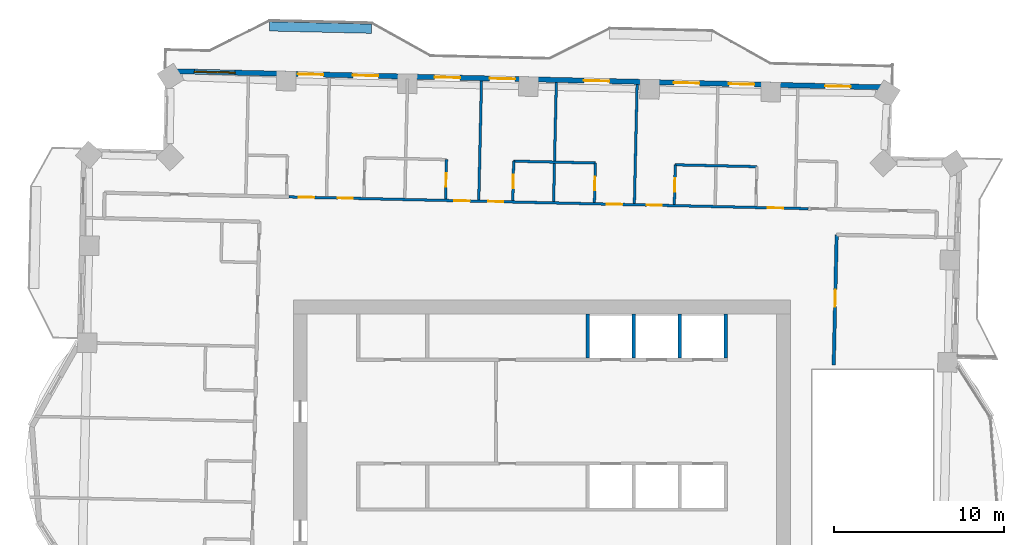
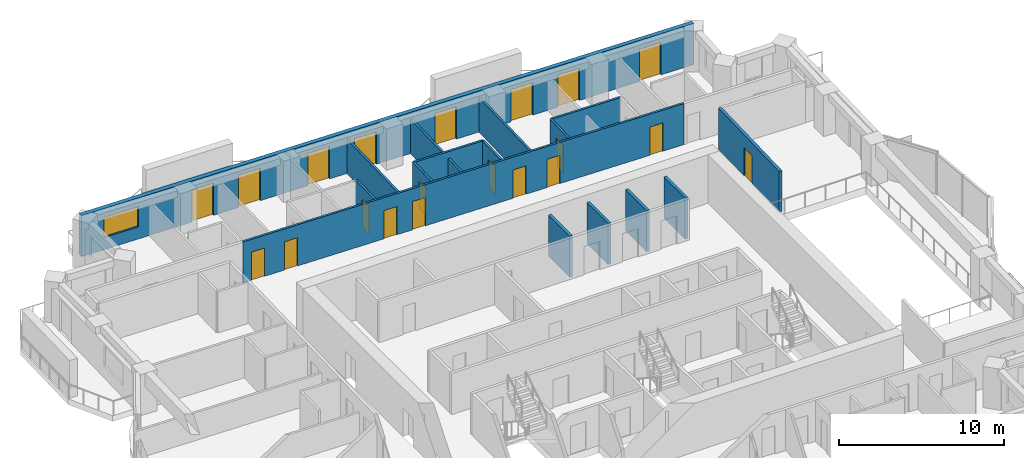
# One storey, part 11 of 16: 20 doors, 17 walls, 1 window, 21 openings.
"""IFC4 building model written with IfcOpenShell, lengths in metres."""

from ifc_helpers import new_model, si_unit, direction, frame, frame_2d, origin, place, context, subcontext, project, spatial, rectangle, extrude, material, layer, layer_set, type_object, element, fill, save


model = new_model("IFC4")

# Units and contexts
model_context = context("Model", 3, precision=1e-05, world=origin(), true_north=direction((0.0, 1.0)))
body_context = subcontext(model_context, "Body", "Model", "MODEL_VIEW")
ifc_project = project(units=[si_unit("LENGTHUNIT", "METRE"), si_unit("AREAUNIT", "SQUARE_METRE"), si_unit("VOLUMEUNIT", "CUBIC_METRE"), si_unit("PLANEANGLEUNIT", "RADIAN"), si_unit("MASSUNIT", "GRAM", prefix="KILO")], contexts=[model_context])

# Site, building, storey
site_placement = place(None, origin())
site = spatial("IfcSite", under=ifc_project, at=site_placement, CompositionType="ELEMENT")
building_placement = place(site_placement, origin())
building = spatial("IfcBuilding", under=site, at=building_placement, Name="Mangrove Gate Tower", CompositionType="ELEMENT")
storey_placement = place(building_placement, frame((0.0, 0.0, 201.5)))
storey = spatial("IfcBuildingStorey", under=building, at=storey_placement, Name="L51", CompositionType="ELEMENT", Elevation=201.5)

# Walls
ifc_material_1 = material(Name="Concrete C60/75", Category="concrete")
ifc_layer_1 = layer(ifc_material_1, 0.199951171875)
ifc_layer_set_1 = layer_set([ifc_layer_1], Name="Core shaft wall 200 C60/75")
wall_type_1 = type_object("IfcWallType", Name="Core shaft wall 200 C60/75", PredefinedType="SHEAR", material=ifc_layer_set_1)
for number, where, z_axis, x_axis, name in (
    (1, (2.699951171875, 8.199951171875, 0.0), (0.0, 0.0, 1.0), (0.0, 1.0, 0.0), "WALL-L51-CORE-27"),
    (2, (5.39990234375, 8.199951171875, 0.0), (0.0, 0.0, 1.0), (0.0, 1.0, 0.0), "WALL-L51-CORE-28"),
    (3, (8.10009765625, 8.199951171875, 0.0), (0.0, 0.0, 1.0), (0.0, 1.0, 0.0), "WALL-L51-CORE-29"),
    (4, (10.800048828125, 8.199951171875, 0.0), (0.0, 0.0, 1.0), (0.0, 1.0, 0.0), "WALL-L51-CORE-30"),
):
    element("IfcWall", number, at=place(storey_placement, frame(where, z_axis=z_axis, x_axis=x_axis)), inside=storey, type_object=wall_type_1, Name=name, PredefinedType="SHEAR", context=body_context, shape_type="SweptSolid", body=[
        extrude(rectangle(XDim=2.60009765625, YDim=0.199951171875, at=frame_2d((1.300048828125, 0.0))), origin(), (0.0, 0.0, 1.0), 3.050048828125),
    ])

# Wall, opening, door
ifc_material_2 = material(Name="Gypsum board on steel stud, EI 60", Category="steel")
ifc_layer_2 = layer(ifc_material_2, 0.199951171875)
ifc_layer_set_2 = layer_set([ifc_layer_2], Name="Corridor wall EI 60")
wall_type_2 = type_object("IfcWallType", Name="Corridor wall EI 60", PredefinedType="PARTITIONING", material=ifc_layer_set_2)
wall_1_placement = place(storey_placement, frame((17.154052734375, 7.785888671875, 0.0), z_axis=(0.0, 0.0, 1.0), x_axis=(0.022680883318, 0.999742755679, 0.0)))
wall_1 = element("IfcWall", 5, at=wall_1_placement, inside=storey, type_object=wall_type_2, Name="WALL-L51-044", PredefinedType="PARTITIONING", context=body_context, shape_type="SweptSolid", body=[
    extrude(rectangle(XDim=7.6640625, YDim=0.199951171875, at=frame_2d((3.83203125, 0.0))), origin(), (0.0, 0.0, 1.0), 3.050048828125),
])
opening_1_placement = place(wall_1_placement, frame((3.43408203125, 0.0, 0.0)))
opening_1 = element("IfcOpeningElement", 6, at=opening_1_placement, cuts=wall_1, Name="Opening AD", PredefinedType="OPENING", context=body_context, shape_type="SweptSolid", body=[
    extrude(rectangle(XDim=1.0, YDim=2.10009765625, at=frame_2d((0.5, 1.050048828125))), frame((0.0, 0.10986328125, 0.0), z_axis=(0.0, -1.0, 0.0), x_axis=(1.0, 0.0, 0.0)), (0.0, 0.0, 1.0), 0.219970703125),
])
ifc_material_3 = material(Name="Timber door leaf", Category="wood")
door_type_1 = type_object("IfcDoorType", Name="Amenity door 1000", OperationType="SINGLE_SWING_LEFT", PredefinedType="DOOR", material=ifc_material_3)
door_1_placement = place(opening_1_placement, origin())
door_1 = element("IfcDoor", 7, at=door_1_placement, inside=storey, type_object=door_type_1, Name="DOOR-L51-GAM-c3a", OperationType="SINGLE_SWING_RIGHT", OverallHeight=2.10009765625, OverallWidth=1.0, PredefinedType="DOOR", context=body_context, shape_type="SweptSolid", body=[
    extrude(rectangle(XDim=1.0, YDim=2.10009765625, at=frame_2d((0.5, 1.050048828125))), frame((0.0, 0.02490234375, 0.0), z_axis=(0.0, -1.0, 0.0), x_axis=(1.0, 0.0, 0.0)), (0.0, 0.0, 1.0), 0.050048828125),
])
fill(opening_1, door_1)

# Wall, openings, doors, window
ifc_material_4 = material(Name="Limestone", Category="masonry")
ifc_layer_3 = layer(ifc_material_4, 0.0400390625, Name="Limestone cladding")
ifc_material_5 = material(Name="Ventilated air gap")
ifc_layer_4 = layer(ifc_material_5, 0.0400390625, Name="Ventilated cavity")
ifc_material_6 = material(Name="Mineral wool insulation")
ifc_layer_5 = layer(ifc_material_6, 0.06005859375, Name="Insulation")
ifc_material_7 = material(Name="Breather membrane")
ifc_layer_6 = layer(ifc_material_7, 0.001953125, Name="Breather membrane")
ifc_material_8 = material(Name="Concrete C20/25 blockwork", Category="masonry")
ifc_layer_7 = layer(ifc_material_8, 0.14990234375, Name="Blockwork backing wall")
ifc_material_9 = material(Name="Gypsum plaster")
ifc_layer_8 = layer(ifc_material_9, 0.008056640625, Name="Internal plaster")
ifc_layer_set_3 = layer_set([ifc_layer_3, ifc_layer_4, ifc_layer_5, ifc_layer_6, ifc_layer_7, ifc_layer_8], Name="External wall 300 limestone cladding")
wall_type_3 = type_object("IfcWallType", Name="External wall 300 limestone cladding", PredefinedType="SOLIDWALL", material=ifc_layer_set_3)
wall_2_placement = place(storey_placement, frame((20.43701171875, 24.10595703125, 0.0), z_axis=(0.0, 0.0, 1.0), x_axis=(-0.999742506232, 0.022691875925, 0.0)))
wall_2 = element("IfcWall", 8, at=wall_2_placement, inside=storey, type_object=wall_type_3, Name="WALL-L51-N5", PredefinedType="SOLIDWALL", context=body_context, shape_type="SweptSolid", body=[
    extrude(rectangle(XDim=42.444091796875, YDim=0.300048828125, at=frame_2d((21.22216796875, 0.0))), origin(), (0.0, 0.0, 1.0), 3.050048828125),
])
opening_2_placement = place(wall_2_placement, frame((2.287109375, 0.0, 0.0)))
opening_2 = element("IfcOpeningElement", 9, at=opening_2_placement, cuts=wall_2, Name="Opening BD1", PredefinedType="OPENING", context=body_context, shape_type="SweptSolid", body=[
    extrude(rectangle(XDim=1.5, YDim=2.39990234375, at=frame_2d((0.75, 1.199951171875))), frame((0.0, 0.159912109375, 0.0), z_axis=(0.0, -1.0, 0.0), x_axis=(1.0, 0.0, 0.0)), (0.0, 0.0, 1.0), 0.320068359375),
])
opening_3_placement = place(wall_2_placement, frame((7.947021484375, 0.0, 0.0)))
opening_3 = element("IfcOpeningElement", 10, at=opening_3_placement, cuts=wall_2, Name="Opening BD1", PredefinedType="OPENING", context=body_context, shape_type="SweptSolid", body=[
    extrude(rectangle(XDim=1.5, YDim=2.39990234375, at=frame_2d((0.75, 1.199951171875))), frame((0.0, 0.159912109375, 0.0), z_axis=(0.0, -1.0, 0.0), x_axis=(1.0, 0.0, 0.0)), (0.0, 0.0, 1.0), 0.320068359375),
])
opening_4_placement = place(wall_2_placement, frame((11.18408203125, 0.0, 0.0)))
opening_4 = element("IfcOpeningElement", 11, at=opening_4_placement, cuts=wall_2, Name="Opening BD1", PredefinedType="OPENING", context=body_context, shape_type="SweptSolid", body=[
    extrude(rectangle(XDim=1.5, YDim=2.39990234375, at=frame_2d((0.75, 1.199951171875))), frame((0.0, 0.159912109375, 0.0), z_axis=(0.0, -1.0, 0.0), x_axis=(1.0, 0.0, 0.0)), (0.0, 0.0, 1.0), 0.320068359375),
])
opening_5_placement = place(wall_2_placement, frame((16.468994140625, 0.0, 0.0)))
opening_5 = element("IfcOpeningElement", 12, at=opening_5_placement, cuts=wall_2, Name="Opening BD1", PredefinedType="OPENING", context=body_context, shape_type="SweptSolid", body=[
    extrude(rectangle(XDim=1.5, YDim=2.39990234375, at=frame_2d((0.75, 1.199951171875))), frame((0.0, 0.159912109375, 0.0), z_axis=(0.0, -1.0, 0.0), x_axis=(1.0, 0.0, 0.0)), (0.0, 0.0, 1.0), 0.320068359375),
])
opening_6_placement = place(wall_2_placement, frame((22.02001953125, 0.0, 0.0)))
opening_6 = element("IfcOpeningElement", 13, at=opening_6_placement, cuts=wall_2, Name="Opening BD1", PredefinedType="OPENING", context=body_context, shape_type="SweptSolid", body=[
    extrude(rectangle(XDim=1.5, YDim=2.39990234375, at=frame_2d((0.75, 1.199951171875))), frame((0.0, 0.159912109375, 0.0), z_axis=(0.0, -1.0, 0.0), x_axis=(1.0, 0.0, 0.0)), (0.0, 0.0, 1.0), 0.320068359375),
])
opening_7_placement = place(wall_2_placement, frame((25.257080078125, 0.0, 0.0)))
opening_7 = element("IfcOpeningElement", 14, at=opening_7_placement, cuts=wall_2, Name="Opening BD1", PredefinedType="OPENING", context=body_context, shape_type="SweptSolid", body=[
    extrude(rectangle(XDim=1.5, YDim=2.39990234375, at=frame_2d((0.75, 1.199951171875))), frame((0.0, 0.159912109375, 0.0), z_axis=(0.0, -1.0, 0.0), x_axis=(1.0, 0.0, 0.0)), (0.0, 0.0, 1.0), 0.320068359375),
])
opening_8_placement = place(wall_2_placement, frame((30.056884765625, 0.0, 0.0)))
opening_8 = element("IfcOpeningElement", 15, at=opening_8_placement, cuts=wall_2, Name="Opening BD1", PredefinedType="OPENING", context=body_context, shape_type="SweptSolid", body=[
    extrude(rectangle(XDim=1.5, YDim=2.39990234375, at=frame_2d((0.75, 1.199951171875))), frame((0.0, 0.159912109375, 0.0), z_axis=(0.0, -1.0, 0.0), x_axis=(1.0, 0.0, 0.0)), (0.0, 0.0, 1.0), 0.320068359375),
])
opening_9_placement = place(wall_2_placement, frame((33.2939453125, 0.0, 0.0)))
opening_9 = element("IfcOpeningElement", 16, at=opening_9_placement, cuts=wall_2, Name="Opening BD1", PredefinedType="OPENING", context=body_context, shape_type="SweptSolid", body=[
    extrude(rectangle(XDim=1.5, YDim=2.39990234375, at=frame_2d((0.75, 1.199951171875))), frame((0.0, 0.159912109375, 0.0), z_axis=(0.0, -1.0, 0.0), x_axis=(1.0, 0.0, 0.0)), (0.0, 0.0, 1.0), 0.320068359375),
])
opening_10_placement = place(wall_2_placement, frame((38.48388671875, 0.0, 0.89990234375)))
opening_10 = element("IfcOpeningElement", 17, at=opening_10_placement, cuts=wall_2, Name="Opening W2", PredefinedType="OPENING", context=body_context, shape_type="SweptSolid", body=[
    extrude(rectangle(XDim=2.39990234375, YDim=1.5, at=frame_2d((1.199951171875, 0.75))), frame((0.0, 0.159912109375, 0.0), z_axis=(0.0, -1.0, 0.0), x_axis=(1.0, 0.0, 0.0)), (0.0, 0.0, 1.0), 0.320068359375),
])
ifc_material_10 = material(Name="Aluminium frame with laminated clear glass", Category="aluminium")
door_type_2 = type_object("IfcDoorType", Name="Balcony sliding door 1500x2400", OperationType="SLIDING_TO_LEFT", PredefinedType="DOOR", material=ifc_material_10)
door_2_placement = place(opening_2_placement, origin())
door_2 = element("IfcDoor", 18, at=door_2_placement, inside=storey, type_object=door_type_2, Name="DOOR-L51-N5-1", OperationType="SLIDING_TO_LEFT", OverallHeight=2.39990234375, OverallWidth=1.5, PredefinedType="DOOR", context=body_context, shape_type="SweptSolid", body=[
    extrude(rectangle(XDim=1.5, YDim=2.39990234375, at=frame_2d((0.75, 1.199951171875))), frame((0.0, 0.02490234375, 0.0), z_axis=(0.0, -1.0, 0.0), x_axis=(1.0, 0.0, 0.0)), (0.0, 0.0, 1.0), 0.050048828125),
])
fill(opening_2, door_2)
door_3_placement = place(opening_3_placement, origin())
door_3 = element("IfcDoor", 19, at=door_3_placement, inside=storey, type_object=door_type_2, Name="DOOR-L51-N5-2", OperationType="SLIDING_TO_LEFT", OverallHeight=2.39990234375, OverallWidth=1.5, PredefinedType="DOOR", context=body_context, shape_type="SweptSolid", body=[
    extrude(rectangle(XDim=1.5, YDim=2.39990234375, at=frame_2d((0.75, 1.199951171875))), frame((0.0, 0.02490234375, 0.0), z_axis=(0.0, -1.0, 0.0), x_axis=(1.0, 0.0, 0.0)), (0.0, 0.0, 1.0), 0.050048828125),
])
fill(opening_3, door_3)
door_4_placement = place(opening_4_placement, origin())
door_4 = element("IfcDoor", 20, at=door_4_placement, inside=storey, type_object=door_type_2, Name="DOOR-L51-N5-3", OperationType="SLIDING_TO_LEFT", OverallHeight=2.39990234375, OverallWidth=1.5, PredefinedType="DOOR", context=body_context, shape_type="SweptSolid", body=[
    extrude(rectangle(XDim=1.5, YDim=2.39990234375, at=frame_2d((0.75, 1.199951171875))), frame((0.0, 0.02490234375, 0.0), z_axis=(0.0, -1.0, 0.0), x_axis=(1.0, 0.0, 0.0)), (0.0, 0.0, 1.0), 0.050048828125),
])
fill(opening_4, door_4)
door_5_placement = place(opening_5_placement, origin())
door_5 = element("IfcDoor", 21, at=door_5_placement, inside=storey, type_object=door_type_2, Name="DOOR-L51-N5-4", OperationType="SLIDING_TO_LEFT", OverallHeight=2.39990234375, OverallWidth=1.5, PredefinedType="DOOR", context=body_context, shape_type="SweptSolid", body=[
    extrude(rectangle(XDim=1.5, YDim=2.39990234375, at=frame_2d((0.75, 1.199951171875))), frame((0.0, 0.02490234375, 0.0), z_axis=(0.0, -1.0, 0.0), x_axis=(1.0, 0.0, 0.0)), (0.0, 0.0, 1.0), 0.050048828125),
])
fill(opening_5, door_5)
door_6_placement = place(opening_6_placement, origin())
door_6 = element("IfcDoor", 22, at=door_6_placement, inside=storey, type_object=door_type_2, Name="DOOR-L51-N5-5", OperationType="SLIDING_TO_LEFT", OverallHeight=2.39990234375, OverallWidth=1.5, PredefinedType="DOOR", context=body_context, shape_type="SweptSolid", body=[
    extrude(rectangle(XDim=1.5, YDim=2.39990234375, at=frame_2d((0.75, 1.199951171875))), frame((0.0, 0.02490234375, 0.0), z_axis=(0.0, -1.0, 0.0), x_axis=(1.0, 0.0, 0.0)), (0.0, 0.0, 1.0), 0.050048828125),
])
fill(opening_6, door_6)
door_7_placement = place(opening_7_placement, origin())
door_7 = element("IfcDoor", 23, at=door_7_placement, inside=storey, type_object=door_type_2, Name="DOOR-L51-N5-6", OperationType="SLIDING_TO_LEFT", OverallHeight=2.39990234375, OverallWidth=1.5, PredefinedType="DOOR", context=body_context, shape_type="SweptSolid", body=[
    extrude(rectangle(XDim=1.5, YDim=2.39990234375, at=frame_2d((0.75, 1.199951171875))), frame((0.0, 0.02490234375, 0.0), z_axis=(0.0, -1.0, 0.0), x_axis=(1.0, 0.0, 0.0)), (0.0, 0.0, 1.0), 0.050048828125),
])
fill(opening_7, door_7)
door_8_placement = place(opening_8_placement, origin())
door_8 = element("IfcDoor", 24, at=door_8_placement, inside=storey, type_object=door_type_2, Name="DOOR-L51-N5-7", OperationType="SLIDING_TO_LEFT", OverallHeight=2.39990234375, OverallWidth=1.5, PredefinedType="DOOR", context=body_context, shape_type="SweptSolid", body=[
    extrude(rectangle(XDim=1.5, YDim=2.39990234375, at=frame_2d((0.75, 1.199951171875))), frame((0.0, 0.02490234375, 0.0), z_axis=(0.0, -1.0, 0.0), x_axis=(1.0, 0.0, 0.0)), (0.0, 0.0, 1.0), 0.050048828125),
])
fill(opening_8, door_8)
door_9_placement = place(opening_9_placement, origin())
door_9 = element("IfcDoor", 25, at=door_9_placement, inside=storey, type_object=door_type_2, Name="DOOR-L51-N5-8", OperationType="SLIDING_TO_LEFT", OverallHeight=2.39990234375, OverallWidth=1.5, PredefinedType="DOOR", context=body_context, shape_type="SweptSolid", body=[
    extrude(rectangle(XDim=1.5, YDim=2.39990234375, at=frame_2d((0.75, 1.199951171875))), frame((0.0, 0.02490234375, 0.0), z_axis=(0.0, -1.0, 0.0), x_axis=(1.0, 0.0, 0.0)), (0.0, 0.0, 1.0), 0.050048828125),
])
fill(opening_9, door_9)
ifc_material_11 = material(Name="Aluminium frame with double-glazed low-e glass", Category="aluminium")
window_type = type_object("IfcWindowType", Name="Corner room window 2400x1500", PartitioningType="DOUBLE_PANEL_VERTICAL", PredefinedType="WINDOW", material=ifc_material_11)
window_placement = place(opening_10_placement, origin())
window = element("IfcWindow", 26, at=window_placement, inside=storey, type_object=window_type, Name="WIN-L51-N5-9", OverallHeight=1.5, OverallWidth=2.39990234375, PartitioningType="DOUBLE_PANEL_VERTICAL", PredefinedType="WINDOW", context=body_context, shape_type="SweptSolid", body=[
    extrude(rectangle(XDim=2.39990234375, YDim=1.5, at=frame_2d((1.199951171875, 0.75))), frame((0.0, 0.030029296875, 0.0), z_axis=(0.0, -1.0, 0.0), x_axis=(1.0, 0.0, 0.0)), (0.0, 0.0, 1.0), 0.06005859375),
])
fill(opening_10, window)

# Wall, openings, doors
ifc_material_12 = material(Name="Gypsum board on steel stud, EI 60", Category="steel")
ifc_layer_9 = layer(ifc_material_12, 0.14990234375)
ifc_layer_set_4 = layer_set([ifc_layer_9], Name="Party wall 150 EI 60")
wall_type_4 = type_object("IfcWallType", Name="Party wall 150 EI 60", PredefinedType="PARTITIONING", material=ifc_layer_set_4)
wall_3_placement = place(storey_placement, frame((-14.87109375, 17.675048828125, 0.0), z_axis=(0.0, 0.0, 1.0), x_axis=(0.999742359486, -0.02269834024, 0.0)))
wall_3 = element("IfcWall", 27, at=wall_3_placement, inside=storey, type_object=wall_type_4, Name="WALL-L51-055", PredefinedType="PARTITIONING", context=body_context, shape_type="SweptSolid", body=[
    extrude(rectangle(XDim=30.535888671875, YDim=0.14990234375, at=frame_2d((15.26806640625, 0.0))), origin(), (0.0, 0.0, 1.0), 3.050048828125),
])
opening_11_placement = place(wall_3_placement, frame((28.158935546875, 0.0, 0.0)))
opening_11 = element("IfcOpeningElement", 28, at=opening_11_placement, cuts=wall_3, Name="Opening BD", PredefinedType="OPENING", context=body_context, shape_type="SweptSolid", body=[
    extrude(rectangle(XDim=0.89990234375, YDim=2.10009765625, at=frame_2d((0.449951171875, 1.050048828125))), frame((0.0, 0.0849609375, 0.0), z_axis=(0.0, -1.0, 0.0), x_axis=(1.0, 0.0, 0.0)), (0.0, 0.0, 1.0), 0.169921875),
])
opening_12_placement = place(wall_3_placement, frame((21.033935546875, 0.0, 0.0)))
opening_12 = element("IfcOpeningElement", 29, at=opening_12_placement, cuts=wall_3, Name="Opening BD", PredefinedType="OPENING", context=body_context, shape_type="SweptSolid", body=[
    extrude(rectangle(XDim=0.89990234375, YDim=2.10009765625, at=frame_2d((0.449951171875, 1.050048828125))), frame((0.0, 0.0849609375, 0.0), z_axis=(0.0, -1.0, 0.0), x_axis=(1.0, 0.0, 0.0)), (0.0, 0.0, 1.0), 0.169921875),
])
opening_13_placement = place(wall_3_placement, frame((18.68408203125, 0.0, 0.0)))
opening_13 = element("IfcOpeningElement", 30, at=opening_13_placement, cuts=wall_3, Name="Opening BD", PredefinedType="OPENING", context=body_context, shape_type="SweptSolid", body=[
    extrude(rectangle(XDim=0.89990234375, YDim=2.10009765625, at=frame_2d((0.449951171875, 1.050048828125))), frame((0.0, 0.0849609375, 0.0), z_axis=(0.0, -1.0, 0.0), x_axis=(1.0, 0.0, 0.0)), (0.0, 0.0, 1.0), 0.169921875),
])
opening_14_placement = place(wall_3_placement, frame((11.708984375, 0.0, 0.0)))
opening_14 = element("IfcOpeningElement", 31, at=opening_14_placement, cuts=wall_3, Name="Opening BD", PredefinedType="OPENING", context=body_context, shape_type="SweptSolid", body=[
    extrude(rectangle(XDim=0.89990234375, YDim=2.10009765625, at=frame_2d((0.449951171875, 1.050048828125))), frame((0.0, 0.0849609375, 0.0), z_axis=(0.0, -1.0, 0.0), x_axis=(1.0, 0.0, 0.0)), (0.0, 0.0, 1.0), 0.169921875),
])
opening_15_placement = place(wall_3_placement, frame((9.73388671875, 0.0, 0.0)))
opening_15 = element("IfcOpeningElement", 32, at=opening_15_placement, cuts=wall_3, Name="Opening BD", PredefinedType="OPENING", context=body_context, shape_type="SweptSolid", body=[
    extrude(rectangle(XDim=0.89990234375, YDim=2.10009765625, at=frame_2d((0.449951171875, 1.050048828125))), frame((0.0, 0.0849609375, 0.0), z_axis=(0.0, -1.0, 0.0), x_axis=(1.0, 0.0, 0.0)), (0.0, 0.0, 1.0), 0.169921875),
])
opening_16_placement = place(wall_3_placement, frame((2.85888671875, 0.0, 0.0)))
opening_16 = element("IfcOpeningElement", 33, at=opening_16_placement, cuts=wall_3, Name="Opening BD", PredefinedType="OPENING", context=body_context, shape_type="SweptSolid", body=[
    extrude(rectangle(XDim=0.89990234375, YDim=2.10009765625, at=frame_2d((0.449951171875, 1.050048828125))), frame((0.0, 0.0849609375, 0.0), z_axis=(0.0, -1.0, 0.0), x_axis=(1.0, 0.0, 0.0)), (0.0, 0.0, 1.0), 0.169921875),
])
opening_17_placement = place(wall_3_placement, frame((0.583984375, 0.0, 0.0)))
opening_17 = element("IfcOpeningElement", 34, at=opening_17_placement, cuts=wall_3, Name="Opening BD", PredefinedType="OPENING", context=body_context, shape_type="SweptSolid", body=[
    extrude(rectangle(XDim=0.89990234375, YDim=2.10009765625, at=frame_2d((0.449951171875, 1.050048828125))), frame((0.0, 0.0849609375, 0.0), z_axis=(0.0, -1.0, 0.0), x_axis=(1.0, 0.0, 0.0)), (0.0, 0.0, 1.0), 0.169921875),
])
ifc_material_13 = material(Name="Timber door leaf", Category="wood")
door_type_3 = type_object("IfcDoorType", Name="Bedroom door 900", OperationType="SINGLE_SWING_LEFT", PredefinedType="DOOR", material=ifc_material_13)
door_10_placement = place(opening_11_placement, origin())
door_10 = element("IfcDoor", 35, at=door_10_placement, inside=storey, type_object=door_type_3, Name="DOOR-L51-BED-c308", OperationType="SINGLE_SWING_RIGHT", OverallHeight=2.10009765625, OverallWidth=0.89990234375, PredefinedType="DOOR", context=body_context, shape_type="SweptSolid", body=[
    extrude(rectangle(XDim=0.89990234375, YDim=2.10009765625, at=frame_2d((0.449951171875, 1.050048828125))), frame((0.0, 0.02490234375, 0.0), z_axis=(0.0, -1.0, 0.0), x_axis=(1.0, 0.0, 0.0)), (0.0, 0.0, 1.0), 0.050048828125),
])
fill(opening_11, door_10)
door_11_placement = place(opening_12_placement, origin())
door_11 = element("IfcDoor", 36, at=door_11_placement, inside=storey, type_object=door_type_3, Name="DOOR-L51-BED-c309", OperationType="SINGLE_SWING_LEFT", OverallHeight=2.10009765625, OverallWidth=0.89990234375, PredefinedType="DOOR", context=body_context, shape_type="SweptSolid", body=[
    extrude(rectangle(XDim=0.89990234375, YDim=2.10009765625, at=frame_2d((0.449951171875, 1.050048828125))), frame((0.0, 0.02490234375, 0.0), z_axis=(0.0, -1.0, 0.0), x_axis=(1.0, 0.0, 0.0)), (0.0, 0.0, 1.0), 0.050048828125),
])
fill(opening_12, door_11)
door_12_placement = place(opening_13_placement, origin())
door_12 = element("IfcDoor", 37, at=door_12_placement, inside=storey, type_object=door_type_3, Name="DOOR-L51-BED-c410", OperationType="SINGLE_SWING_RIGHT", OverallHeight=2.10009765625, OverallWidth=0.89990234375, PredefinedType="DOOR", context=body_context, shape_type="SweptSolid", body=[
    extrude(rectangle(XDim=0.89990234375, YDim=2.10009765625, at=frame_2d((0.449951171875, 1.050048828125))), frame((0.0, 0.02490234375, 0.0), z_axis=(0.0, -1.0, 0.0), x_axis=(1.0, 0.0, 0.0)), (0.0, 0.0, 1.0), 0.050048828125),
])
fill(opening_13, door_12)
door_13_placement = place(opening_14_placement, origin())
door_13 = element("IfcDoor", 38, at=door_13_placement, inside=storey, type_object=door_type_3, Name="DOOR-L51-BED-c411", OperationType="SINGLE_SWING_LEFT", OverallHeight=2.10009765625, OverallWidth=0.89990234375, PredefinedType="DOOR", context=body_context, shape_type="SweptSolid", body=[
    extrude(rectangle(XDim=0.89990234375, YDim=2.10009765625, at=frame_2d((0.449951171875, 1.050048828125))), frame((0.0, 0.02490234375, 0.0), z_axis=(0.0, -1.0, 0.0), x_axis=(1.0, 0.0, 0.0)), (0.0, 0.0, 1.0), 0.050048828125),
])
fill(opening_14, door_13)
door_14_placement = place(opening_15_placement, origin())
door_14 = element("IfcDoor", 39, at=door_14_placement, inside=storey, type_object=door_type_3, Name="DOOR-L51-BED-c412", OperationType="SINGLE_SWING_RIGHT", OverallHeight=2.10009765625, OverallWidth=0.89990234375, PredefinedType="DOOR", context=body_context, shape_type="SweptSolid", body=[
    extrude(rectangle(XDim=0.89990234375, YDim=2.10009765625, at=frame_2d((0.449951171875, 1.050048828125))), frame((0.0, 0.02490234375, 0.0), z_axis=(0.0, -1.0, 0.0), x_axis=(1.0, 0.0, 0.0)), (0.0, 0.0, 1.0), 0.050048828125),
])
fill(opening_15, door_14)
door_15_placement = place(opening_16_placement, origin())
door_15 = element("IfcDoor", 40, at=door_15_placement, inside=storey, type_object=door_type_3, Name="DOOR-L51-BED-c513", OperationType="SINGLE_SWING_LEFT", OverallHeight=2.10009765625, OverallWidth=0.89990234375, PredefinedType="DOOR", context=body_context, shape_type="SweptSolid", body=[
    extrude(rectangle(XDim=0.89990234375, YDim=2.10009765625, at=frame_2d((0.449951171875, 1.050048828125))), frame((0.0, 0.02490234375, 0.0), z_axis=(0.0, -1.0, 0.0), x_axis=(1.0, 0.0, 0.0)), (0.0, 0.0, 1.0), 0.050048828125),
])
fill(opening_16, door_15)
door_16_placement = place(opening_17_placement, origin())
door_16 = element("IfcDoor", 41, at=door_16_placement, inside=storey, type_object=door_type_3, Name="DOOR-L51-BED-c514", OperationType="SINGLE_SWING_RIGHT", OverallHeight=2.10009765625, OverallWidth=0.89990234375, PredefinedType="DOOR", context=body_context, shape_type="SweptSolid", body=[
    extrude(rectangle(XDim=0.89990234375, YDim=2.10009765625, at=frame_2d((0.449951171875, 1.050048828125))), frame((0.0, 0.02490234375, 0.0), z_axis=(0.0, -1.0, 0.0), x_axis=(1.0, 0.0, 0.0)), (0.0, 0.0, 1.0), 0.050048828125),
])
fill(opening_17, door_16)

# Wall, opening, door
wall_4_placement = place(storey_placement, frame((-5.659912109375, 17.544921875, 0.0), z_axis=(0.0, 0.0, 1.0), x_axis=(0.022358961731, 0.999750007167, 0.0)))
wall_4 = element("IfcWall", 42, at=wall_4_placement, inside=storey, type_object=wall_type_4, Name="WALL-L51-062", PredefinedType="PARTITIONING", context=body_context, shape_type="SweptSolid", body=[
    extrude(rectangle(XDim=2.32568359375, YDim=0.14990234375, at=frame_2d((1.162841796875, 0.0))), origin(), (0.0, 0.0, 1.0), 3.050048828125),
])
opening_18_placement = place(wall_4_placement, frame((0.72509765625, 0.0, 0.0)))
opening_18 = element("IfcOpeningElement", 43, at=opening_18_placement, cuts=wall_4, Name="Opening ED", PredefinedType="OPENING", context=body_context, shape_type="SweptSolid", body=[
    extrude(rectangle(XDim=0.800048828125, YDim=2.10009765625, at=frame_2d((0.39990234375, 1.050048828125))), frame((0.0, 0.0849609375, 0.0), z_axis=(0.0, -1.0, 0.0), x_axis=(1.0, 0.0, 0.0)), (0.0, 0.0, 1.0), 0.169921875),
])
ifc_material_14 = material(Name="Timber door leaf", Category="wood")
door_type_4 = type_object("IfcDoorType", Name="En-suite door 800", OperationType="SINGLE_SWING_LEFT", PredefinedType="DOOR", material=ifc_material_14)
door_17_placement = place(opening_18_placement, origin())
door_17 = element("IfcDoor", 44, at=door_17_placement, inside=storey, type_object=door_type_4, Name="DOOR-L51-ENS-c412", OperationType="SINGLE_SWING_RIGHT", OverallHeight=2.10009765625, OverallWidth=0.800048828125, PredefinedType="DOOR", context=body_context, shape_type="SweptSolid", body=[
    extrude(rectangle(XDim=0.800048828125, YDim=2.10009765625, at=frame_2d((0.39990234375, 1.050048828125))), frame((0.0, 0.02490234375, 0.0), z_axis=(0.0, -1.0, 0.0), x_axis=(1.0, 0.0, 0.0)), (0.0, 0.0, 1.0), 0.050048828125),
])
fill(opening_18, door_17)

# Wall
wall_5_placement = place(storey_placement, frame((-3.7109375, 17.5009765625, 0.0), z_axis=(0.0, 0.0, 1.0), x_axis=(0.022702393474, 0.999742267452, 0.0)))
element("IfcWall", 45, at=wall_5_placement, inside=storey, type_object=wall_type_4, Name="WALL-L51-063", PredefinedType="PARTITIONING", context=body_context, shape_type="SweptSolid", body=[
    extrude(rectangle(XDim=7.000732421875, YDim=0.14990234375, at=frame_2d((3.50048828125, 0.0))), origin(), (0.0, 0.0, 1.0), 2.550048828125),
])

# Wall, opening, door
wall_6_placement = place(storey_placement, frame((-1.7109375, 17.4560546875, 0.0), z_axis=(0.0, 0.0, 1.0), x_axis=(0.022370700241, 0.999749744571, 0.0)))
wall_6 = element("IfcWall", 46, at=wall_6_placement, inside=storey, type_object=wall_type_4, Name="WALL-L51-064", PredefinedType="PARTITIONING", context=body_context, shape_type="SweptSolid", body=[
    extrude(rectangle(XDim=2.324462890625, YDim=0.14990234375, at=frame_2d((1.162109375, 0.0))), origin(), (0.0, 0.0, 1.0), 3.050048828125),
])
opening_19_placement = place(wall_6_placement, frame((0.72509765625, 0.0, 0.0)))
opening_19 = element("IfcOpeningElement", 47, at=opening_19_placement, cuts=wall_6, Name="Opening ED", PredefinedType="OPENING", context=body_context, shape_type="SweptSolid", body=[
    extrude(rectangle(XDim=0.800048828125, YDim=2.10009765625, at=frame_2d((0.39990234375, 1.050048828125))), frame((0.0, 0.0849609375, 0.0), z_axis=(0.0, -1.0, 0.0), x_axis=(1.0, 0.0, 0.0)), (0.0, 0.0, 1.0), 0.169921875),
])
door_18_placement = place(opening_19_placement, origin())
door_18 = element("IfcDoor", 48, at=door_18_placement, inside=storey, type_object=door_type_4, Name="DOOR-L51-ENS-c411", OperationType="SINGLE_SWING_LEFT", OverallHeight=2.10009765625, OverallWidth=0.800048828125, PredefinedType="DOOR", context=body_context, shape_type="SweptSolid", body=[
    extrude(rectangle(XDim=0.800048828125, YDim=2.10009765625, at=frame_2d((0.39990234375, 1.050048828125))), frame((0.0, 0.02490234375, 0.0), z_axis=(0.0, -1.0, 0.0), x_axis=(1.0, 0.0, 0.0)), (0.0, 0.0, 1.0), 0.050048828125),
])
fill(opening_19, door_18)

# Wall
wall_7_placement = place(storey_placement, frame((0.68798828125, 17.40087890625, 0.0), z_axis=(0.0, 0.0, 1.0), x_axis=(0.022699227919, 0.999742339331, 0.0)))
element("IfcWall", 49, at=wall_7_placement, inside=storey, type_object=wall_type_4, Name="WALL-L51-065", PredefinedType="PARTITIONING", context=body_context, shape_type="SweptSolid", body=[
    extrude(rectangle(XDim=7.001708984375, YDim=0.14990234375, at=frame_2d((3.5009765625, 0.0))), origin(), (0.0, 0.0, 1.0), 2.550048828125),
])

# Wall, opening, door
wall_8_placement = place(storey_placement, frame((3.0869140625, 17.346923828125, 0.0), z_axis=(0.0, 0.0, 1.0), x_axis=(0.02279059109, 0.999740260747, 0.0)))
wall_8 = element("IfcWall", 50, at=wall_8_placement, inside=storey, type_object=wall_type_4, Name="WALL-L51-066", PredefinedType="PARTITIONING", context=body_context, shape_type="SweptSolid", body=[
    extrude(rectangle(XDim=2.324462890625, YDim=0.14990234375, at=frame_2d((1.162109375, 0.0))), origin(), (0.0, 0.0, 1.0), 3.050048828125),
])
opening_20_placement = place(wall_8_placement, frame((0.72509765625, 0.0, 0.0)))
opening_20 = element("IfcOpeningElement", 51, at=opening_20_placement, cuts=wall_8, Name="Opening ED", PredefinedType="OPENING", context=body_context, shape_type="SweptSolid", body=[
    extrude(rectangle(XDim=0.800048828125, YDim=2.10009765625, at=frame_2d((0.39990234375, 1.050048828125))), frame((0.0, 0.0849609375, 0.0), z_axis=(0.0, -1.0, 0.0), x_axis=(1.0, 0.0, 0.0)), (0.0, 0.0, 1.0), 0.169921875),
])
door_19_placement = place(opening_20_placement, origin())
door_19 = element("IfcDoor", 52, at=door_19_placement, inside=storey, type_object=door_type_4, Name="DOOR-L51-ENS-c410", OperationType="SINGLE_SWING_RIGHT", OverallHeight=2.10009765625, OverallWidth=0.800048828125, PredefinedType="DOOR", context=body_context, shape_type="SweptSolid", body=[
    extrude(rectangle(XDim=0.800048828125, YDim=2.10009765625, at=frame_2d((0.39990234375, 1.050048828125))), frame((0.0, 0.02490234375, 0.0), z_axis=(0.0, -1.0, 0.0), x_axis=(1.0, 0.0, 0.0)), (0.0, 0.0, 1.0), 0.050048828125),
])
fill(opening_20, door_19)

# Wall
wall_9_placement = place(storey_placement, frame((5.43701171875, 17.29296875, 0.0), z_axis=(0.0, 0.0, 1.0), x_axis=(0.022699227919, 0.999742339331, 0.0)))
element("IfcWall", 53, at=wall_9_placement, inside=storey, type_object=wall_type_4, Name="WALL-L51-067", PredefinedType="PARTITIONING", context=body_context, shape_type="SweptSolid", body=[
    extrude(rectangle(XDim=7.001708984375, YDim=0.14990234375, at=frame_2d((3.5009765625, 0.0))), origin(), (0.0, 0.0, 1.0), 2.550048828125),
])

# Wall, opening, door
wall_10_placement = place(storey_placement, frame((7.785888671875, 17.239990234375, 0.0), z_axis=(0.0, 0.0, 1.0), x_axis=(0.022895561926, 0.999737862264, 0.0)))
wall_10 = element("IfcWall", 54, at=wall_10_placement, inside=storey, type_object=wall_type_4, Name="WALL-L51-068", PredefinedType="PARTITIONING", context=body_context, shape_type="SweptSolid", body=[
    extrude(rectangle(XDim=2.324462890625, YDim=0.14990234375, at=frame_2d((1.162109375, 0.0))), origin(), (0.0, 0.0, 1.0), 3.050048828125),
])
opening_21_placement = place(wall_10_placement, frame((0.72509765625, 0.0, 0.0)))
opening_21 = element("IfcOpeningElement", 55, at=opening_21_placement, cuts=wall_10, Name="Opening ED", PredefinedType="OPENING", context=body_context, shape_type="SweptSolid", body=[
    extrude(rectangle(XDim=0.800048828125, YDim=2.10009765625, at=frame_2d((0.39990234375, 1.050048828125))), frame((0.0, 0.0849609375, 0.0), z_axis=(0.0, -1.0, 0.0), x_axis=(1.0, 0.0, 0.0)), (0.0, 0.0, 1.0), 0.169921875),
])
door_20_placement = place(opening_21_placement, origin())
door_20 = element("IfcDoor", 56, at=door_20_placement, inside=storey, type_object=door_type_4, Name="DOOR-L51-ENS-c309", OperationType="SINGLE_SWING_LEFT", OverallHeight=2.10009765625, OverallWidth=0.800048828125, PredefinedType="DOOR", context=body_context, shape_type="SweptSolid", body=[
    extrude(rectangle(XDim=0.800048828125, YDim=2.10009765625, at=frame_2d((0.39990234375, 1.050048828125))), frame((0.0, 0.02490234375, 0.0), z_axis=(0.0, -1.0, 0.0), x_axis=(1.0, 0.0, 0.0)), (0.0, 0.0, 1.0), 0.050048828125),
])
fill(opening_21, door_20)

# Walls
wall_11_placement = place(storey_placement, frame((-1.660888671875, 19.77587890625, 0.0), z_axis=(0.0, 0.0, 1.0), x_axis=(0.999742675121, -0.022684433919, 0.0)))
element("IfcWall", 57, at=wall_11_placement, inside=storey, type_object=wall_type_4, Name="WALL-L51-075", PredefinedType="PARTITIONING", context=body_context, shape_type="SweptSolid", body=[
    extrude(rectangle(XDim=4.800048828125, YDim=0.14990234375, at=frame_2d((2.39990234375, 0.0))), origin(), (0.0, 0.0, 1.0), 3.050048828125),
])
wall_12_placement = place(storey_placement, frame((7.8369140625, 19.56103515625, 0.0), z_axis=(0.0, 0.0, 1.0), x_axis=(0.99974154664, -0.022734113616, 0.0)))
element("IfcWall", 58, at=wall_12_placement, inside=storey, type_object=wall_type_4, Name="WALL-L51-076", PredefinedType="PARTITIONING", context=body_context, shape_type="SweptSolid", body=[
    extrude(rectangle(XDim=4.80029296875, YDim=0.14990234375, at=frame_2d((2.400146484375, 0.0))), origin(), (0.0, 0.0, 1.0), 3.050048828125),
])
ifc_material_15 = material(Name="Concrete C32/40", Category="concrete")
ifc_layer_10 = layer(ifc_material_15, 0.199951171875, Name="Planter trough wall")
ifc_material_16 = material(Name="Bituminous waterproofing membrane")
ifc_layer_11 = layer(ifc_material_16, 0.0048828125, Name="Waterproofing")
ifc_material_17 = material(Name="Drainage board and gravel")
ifc_layer_12 = layer(ifc_material_17, 0.044921875, Name="Drainage layer")
ifc_material_18 = material(Name="Planting soil")
ifc_layer_13 = layer(ifc_material_18, 0.300048828125, Name="Growing medium")
ifc_layer_set_5 = layer_set([ifc_layer_10, ifc_layer_11, ifc_layer_12, ifc_layer_13], Name="Planter wall 550 C32/40")
wall_type_5 = type_object("IfcWallType", Name="Planter wall 550 C32/40", PredefinedType="USERDEFINED", material=ifc_layer_set_5)
wall_13_placement = place(storey_placement, frame((-16.011962890625, 27.698974609375, 0.0), z_axis=(0.0, 0.0, 1.0), x_axis=(0.999743094499, -0.022665943652, 0.0)))
element("IfcWall", 59, at=wall_13_placement, inside=storey, type_object=wall_type_5, Name="PLANTER L51 N1.1", ObjectType="PLANTER", PredefinedType="USERDEFINED", context=body_context, shape_type="SweptSolid", body=[
    extrude(rectangle(XDim=5.99951171875, YDim=0.550048828125, at=frame_2d((2.999755859375, 0.0))), origin(), (0.0, 0.0, 1.0), 0.800048828125),
])

save(model, "model.ifc")
